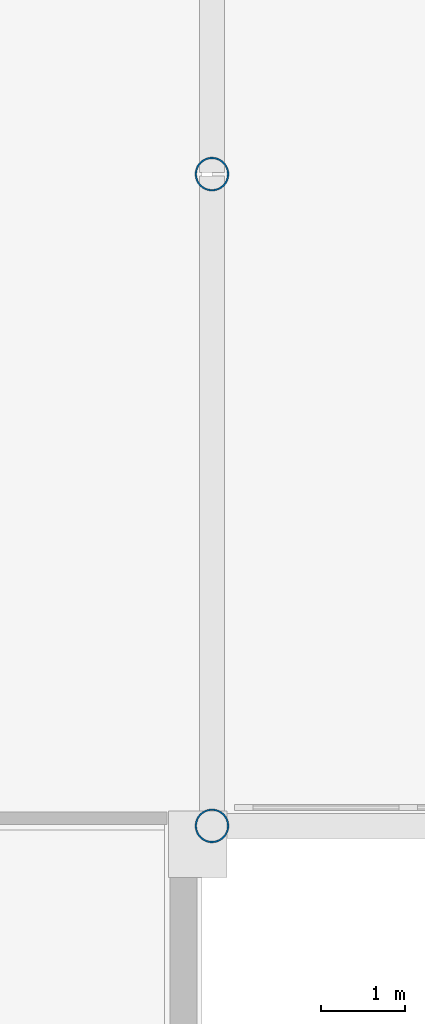
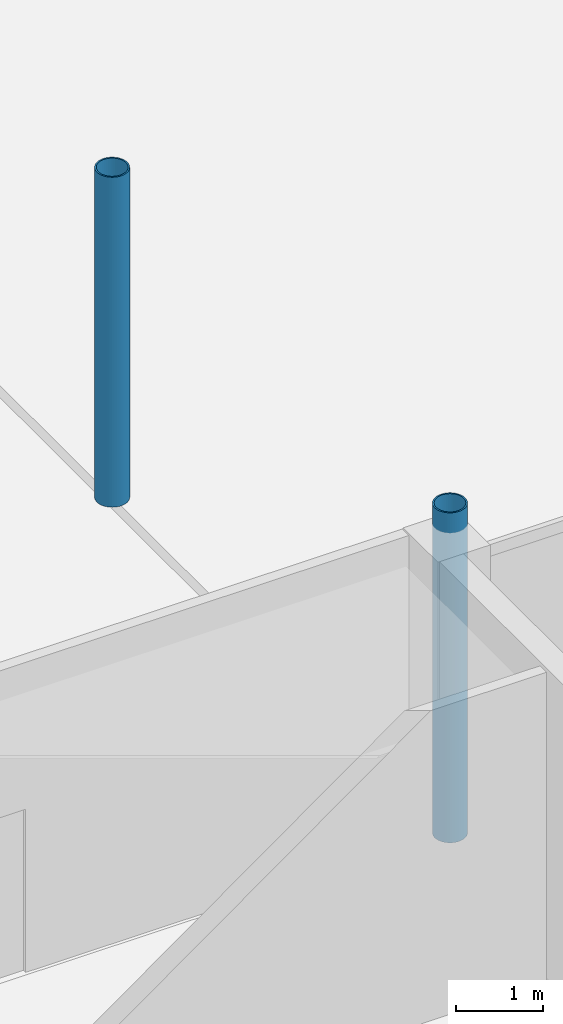
# One storey, part 2 of 98: 2 columns.
"""IFC4 building model written with IfcOpenShell, lengths in metres."""

from ifc_helpers import new_model, si_unit, direction, frame, origin, origin_2d, place, context, subcontext, project, spatial, hollow_circle, extrude, material, material_profile, profile_set, type_object, element, save


model = new_model("IFC4")

# Units and contexts
model_context = context("Model", 3, precision=1e-05, world=origin(), true_north=direction((0.0, 1.0)))
body_context = subcontext(model_context, "Body", "Model", "MODEL_VIEW")
ifc_project = project(units=[si_unit("LENGTHUNIT", "METRE"), si_unit("AREAUNIT", "SQUARE_METRE"), si_unit("VOLUMEUNIT", "CUBIC_METRE"), si_unit("PLANEANGLEUNIT", "RADIAN"), si_unit("MASSUNIT", "GRAM", prefix="KILO")], contexts=[model_context])

# Site, building, storey
site_placement = place(None, origin())
site = spatial("IfcSite", under=ifc_project, at=site_placement, CompositionType="ELEMENT")
building_placement = place(site_placement, origin())
building = spatial("IfcBuilding", under=site, at=building_placement, Name="Nabrawat Pavilion Hospital", CompositionType="ELEMENT")
storey_placement = place(building_placement, frame((0.0, 0.0, 10.199951171875)))
storey = spatial("IfcBuildingStorey", under=building, at=storey_placement, Name="L02", CompositionType="ELEMENT", Elevation=10.199951171875)

# Columns
ifc_material = material(Name="Steel S355", Category="steel")
ifc_material_profile = material_profile(ifc_material, hollow_circle(Radius=0.203125, WallThickness=0.02001953125, at=origin_2d()), Name="CHS 406.4x20")
ifc_profile_set = profile_set([ifc_material_profile], Name="Steel S355")
column_type = type_object("IfcColumnType", Name="Expressed Pavilion Tubular Column CHS 406.4x20", PredefinedType="COLUMN", material=ifc_profile_set)
for number, where, z_axis, x_axis, name in (
    (1, (58.919921875, 15.60009765625, 0.0), (0.0, 0.0, 1.0), (1.0, 0.0, 0.0), "L02 Expressed Pavilion Column MH-S00"),
    (2, (58.919921875, 23.39990234375, 0.0), (0.0, 0.0, 1.0), (1.0, 0.0, 0.0), "L02 Expressed Pavilion Column MH-W01"),
):
    element("IfcColumn", number, at=place(storey_placement, frame(where, z_axis=z_axis, x_axis=x_axis)), inside=storey, type_object=column_type, Name=name, PredefinedType="COLUMN", context=body_context, shape_type="SweptSolid", body=[
        extrude(hollow_circle(Radius=0.203125, WallThickness=0.02001953125, at=origin_2d()), origin(), (0.0, 0.0, 1.0), 4.650146484375),
    ])

save(model, "model.ifc")
